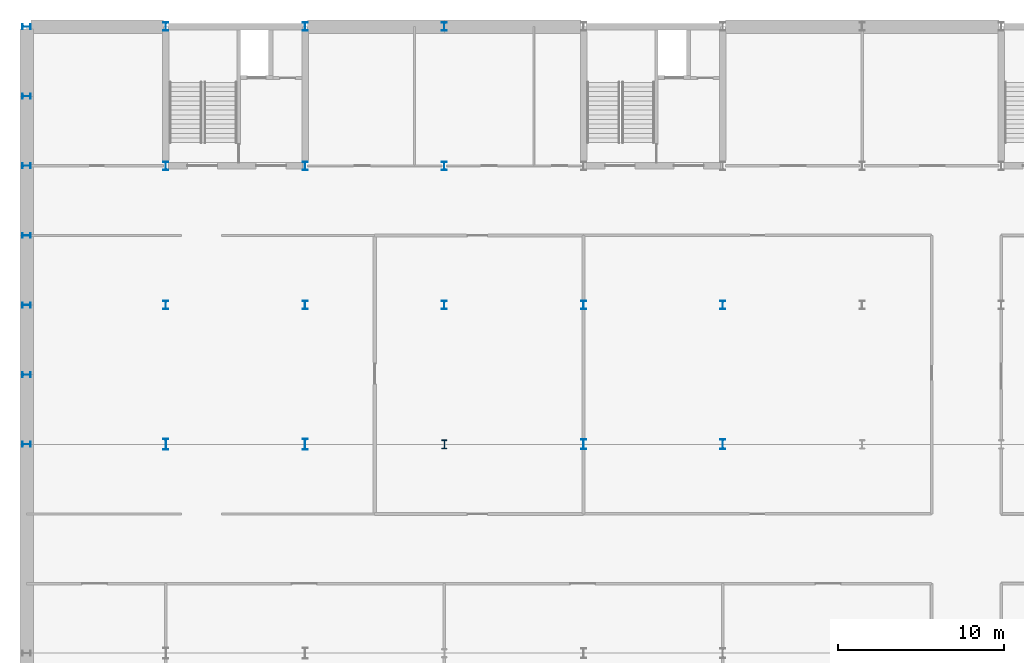
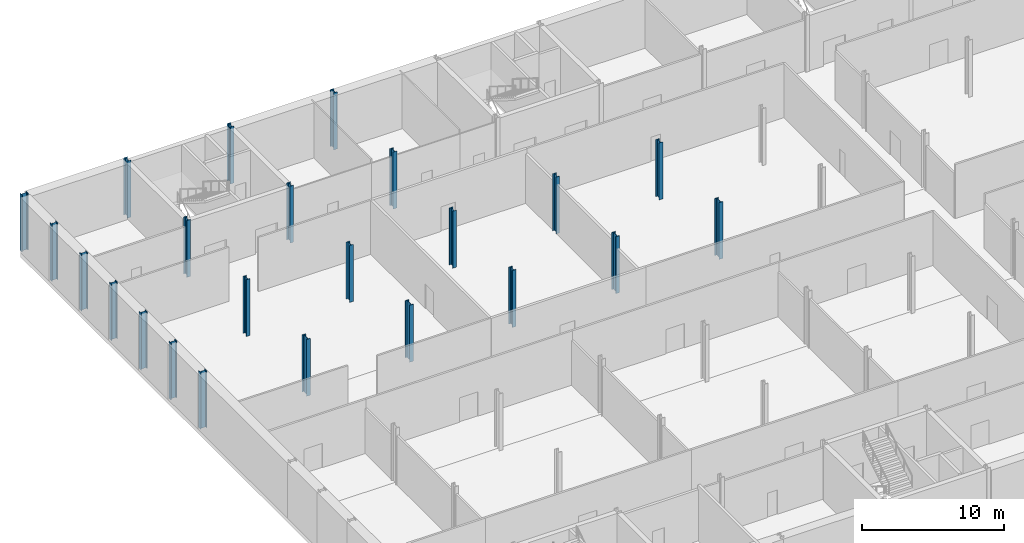
# One storey, part 3 of 20: 23 columns.
"""IFC4 building model written with IfcOpenShell, lengths in metres."""

from ifc_helpers import new_model, si_unit, direction, frame, origin, origin_2d, place, context, subcontext, project, spatial, i_section, extrude, material, material_profile, profile_set, type_object, element, save


model = new_model("IFC4")

# Units and contexts
model_context = context("Model", 3, precision=1e-05, world=origin(), true_north=direction((0.0, 1.0)))
body_context = subcontext(model_context, "Body", "Model", "MODEL_VIEW")
ifc_project = project(units=[si_unit("LENGTHUNIT", "METRE"), si_unit("AREAUNIT", "SQUARE_METRE"), si_unit("VOLUMEUNIT", "CUBIC_METRE"), si_unit("PLANEANGLEUNIT", "RADIAN"), si_unit("MASSUNIT", "GRAM", prefix="KILO")], contexts=[model_context])

# Site, building, storey
site_placement = place(None, origin())
site = spatial("IfcSite", under=ifc_project, at=site_placement, CompositionType="ELEMENT")
building_placement = place(site_placement, origin())
building = spatial("IfcBuilding", under=site, at=building_placement, Name="Galleria Vessillo Department Store", CompositionType="ELEMENT")
storey_placement = place(building_placement, frame((0.0, 0.0, -4.89990234375)))
storey = spatial("IfcBuildingStorey", under=building, at=storey_placement, Name="B1", CompositionType="ELEMENT", Elevation=-4.89990234375)

# Columns
ifc_material_1 = material(Name="Steel S355 J2", Category="steel")
ifc_material_profile_1 = material_profile(ifc_material_1, i_section(OverallWidth=0.300048828125, OverallDepth=0.5, WebThickness=0.014404296875, FlangeThickness=0.028076171875, FilletRadius=0.027099609375, at=origin_2d()), Name="HEB 500")
ifc_profile_set_1 = profile_set([ifc_material_profile_1], Name="Steel S355 J2")
column_type_1 = type_object("IfcColumnType", Name="Steel column HEB 500 CP1", PredefinedType="COLUMN", material=ifc_profile_set_1)
for number, where, z_axis, x_axis, name in (
    (1, (0.0, 37.800048828125, 0.0), (0.0, 0.0, 1.0), (0.0, 1.0, 0.0), "S-COL-B1-1-E"),
    (2, (0.0, 42.0, 0.0), (0.0, 0.0, 1.0), (0.0, 1.0, 0.0), "S-COL-B1-1-42"),
    (3, (0.0, 46.199951171875, 0.0), (0.0, 0.0, 1.0), (0.0, 1.0, 0.0), "S-COL-B1-1-F"),
    (4, (0.0, 50.39990234375, 0.0), (0.0, 0.0, 1.0), (0.0, 1.0, 0.0), "S-COL-B1-1-50.4"),
    (5, (0.0, 54.60009765625, 0.0), (0.0, 0.0, 1.0), (0.0, 1.0, 0.0), "S-COL-B1-1-G"),
    (6, (0.0, 58.800048828125, 0.0), (0.0, 0.0, 1.0), (0.0, 1.0, 0.0), "S-COL-B1-1-58.8"),
    (7, (0.0, 63.0, 0.0), (0.0, 0.0, 1.0), (0.0, 1.0, 0.0), "S-COL-B1-1-H"),
    (8, (8.39990234375, 46.199951171875, 0.0), (0.0, 0.0, 1.0), (1.0, 0.0, 0.0), "S-COL-B1-2-F"),
    (9, (8.39990234375, 54.60009765625, 0.0), (0.0, 0.0, 1.0), (1.0, 0.0, 0.0), "S-COL-B1-2-G"),
    (10, (8.39990234375, 63.0, 0.0), (0.0, 0.0, 1.0), (1.0, 0.0, 0.0), "S-COL-B1-2-H"),
    (11, (16.800048828125, 46.199951171875, 0.0), (0.0, 0.0, 1.0), (1.0, 0.0, 0.0), "S-COL-B1-3-F"),
    (12, (16.800048828125, 54.60009765625, 0.0), (0.0, 0.0, 1.0), (1.0, 0.0, 0.0), "S-COL-B1-3-G"),
    (13, (16.800048828125, 63.0, 0.0), (0.0, 0.0, 1.0), (1.0, 0.0, 0.0), "S-COL-B1-3-H"),
    (14, (25.199951171875, 46.199951171875, 0.0), (0.0, 0.0, 1.0), (1.0, 0.0, 0.0), "S-COL-B1-4-F"),
    (15, (25.199951171875, 54.60009765625, 0.0), (0.0, 0.0, 1.0), (1.0, 0.0, 0.0), "S-COL-B1-4-G"),
    (16, (25.199951171875, 63.0, 0.0), (0.0, 0.0, 1.0), (1.0, 0.0, 0.0), "S-COL-B1-4-H"),
    (17, (33.60009765625, 46.199951171875, 0.0), (0.0, 0.0, 1.0), (1.0, 0.0, 0.0), "S-COL-B1-5-F"),
    (18, (42.0, 46.199951171875, 0.0), (0.0, 0.0, 1.0), (1.0, 0.0, 0.0), "S-COL-B1-6-F"),
):
    element("IfcColumn", number, at=place(storey_placement, frame(where, z_axis=z_axis, x_axis=x_axis)), inside=storey, type_object=column_type_1, Name=name, PredefinedType="COLUMN", context=body_context, shape_type="SweptSolid", body=[
        extrude(i_section(OverallWidth=0.300048828125, OverallDepth=0.5, WebThickness=0.014404296875, FlangeThickness=0.028076171875, FilletRadius=0.027099609375, at=origin_2d()), origin(), (0.0, 0.0, 1.0), 4.89990234375),
    ])
ifc_material_2 = material(Name="Steel S355 J2", Category="steel")
ifc_material_profile_2 = material_profile(ifc_material_2, i_section(OverallWidth=0.305908203125, OverallDepth=0.52392578125, WebThickness=0.02099609375, FlangeThickness=0.0400390625, FilletRadius=0.027099609375, at=origin_2d()), Name="HEM 500")
ifc_profile_set_2 = profile_set([ifc_material_profile_2], Name="Steel S355 J2")
column_type_2 = type_object("IfcColumnType", Name="Steel column HEM 500 CV1", PredefinedType="COLUMN", material=ifc_profile_set_2)
column_placement = place(storey_placement, frame((25.199951171875, 37.800048828125, 0.0), z_axis=(0.0, 0.0, 1.0), x_axis=(1.0, 0.0, 0.0)))
element("IfcColumn", 19, at=column_placement, inside=storey, type_object=column_type_2, Name="S-COL-B1-4-E", PredefinedType="COLUMN", context=body_context, shape_type="SweptSolid", body=[
    extrude(i_section(OverallWidth=0.305908203125, OverallDepth=0.52392578125, WebThickness=0.02099609375, FlangeThickness=0.0400390625, FilletRadius=0.027099609375, at=origin_2d()), origin(), (0.0, 0.0, 1.0), 4.89990234375),
])
ifc_material_3 = material(Name="Steel S355 J2", Category="steel")
ifc_material_profile_3 = material_profile(ifc_material_3, i_section(OverallWidth=0.304931640625, OverallDepth=0.6201171875, WebThickness=0.02099609375, FlangeThickness=0.0400390625, FilletRadius=0.027099609375, at=origin_2d()), Name="HEM 600")
ifc_profile_set_3 = profile_set([ifc_material_profile_3], Name="Steel S355 J2")
column_type_3 = type_object("IfcColumnType", Name="Steel column HEM 600 CV2", PredefinedType="COLUMN", material=ifc_profile_set_3)
for number, where, z_axis, x_axis, name in (
    (20, (33.60009765625, 37.800048828125, 0.0), (0.0, 0.0, 1.0), (1.0, 0.0, 0.0), "S-COL-B1-5-E"),
    (21, (42.0, 37.800048828125, 0.0), (0.0, 0.0, 1.0), (1.0, 0.0, 0.0), "S-COL-B1-6-E"),
):
    element("IfcColumn", number, at=place(storey_placement, frame(where, z_axis=z_axis, x_axis=x_axis)), inside=storey, type_object=column_type_3, Name=name, PredefinedType="COLUMN", context=body_context, shape_type="SweptSolid", body=[
        extrude(i_section(OverallWidth=0.304931640625, OverallDepth=0.6201171875, WebThickness=0.02099609375, FlangeThickness=0.0400390625, FilletRadius=0.027099609375, at=origin_2d()), origin(), (0.0, 0.0, 1.0), 4.89990234375),
    ])
ifc_material_4 = material(Name="Steel S355 J2", Category="steel")
ifc_material_profile_4 = material_profile(ifc_material_4, i_section(OverallWidth=0.304931640625, OverallDepth=0.66796875, WebThickness=0.02099609375, FlangeThickness=0.0400390625, FilletRadius=0.027099609375, at=origin_2d()), Name="HEM 650")
ifc_profile_set_4 = profile_set([ifc_material_profile_4], Name="Steel S355 J2")
column_type_4 = type_object("IfcColumnType", Name="Steel column HEM 650 CV3", PredefinedType="COLUMN", material=ifc_profile_set_4)
for number, where, z_axis, x_axis, name in (
    (22, (8.39990234375, 37.800048828125, 0.0), (0.0, 0.0, 1.0), (1.0, 0.0, 0.0), "S-COL-B1-2-E"),
    (23, (16.800048828125, 37.800048828125, 0.0), (0.0, 0.0, 1.0), (1.0, 0.0, 0.0), "S-COL-B1-3-E"),
):
    element("IfcColumn", number, at=place(storey_placement, frame(where, z_axis=z_axis, x_axis=x_axis)), inside=storey, type_object=column_type_4, Name=name, PredefinedType="COLUMN", context=body_context, shape_type="SweptSolid", body=[
        extrude(i_section(OverallWidth=0.304931640625, OverallDepth=0.66796875, WebThickness=0.02099609375, FlangeThickness=0.0400390625, FilletRadius=0.027099609375, at=origin_2d()), origin(), (0.0, 0.0, 1.0), 4.89990234375),
    ])

save(model, "model.ifc")
